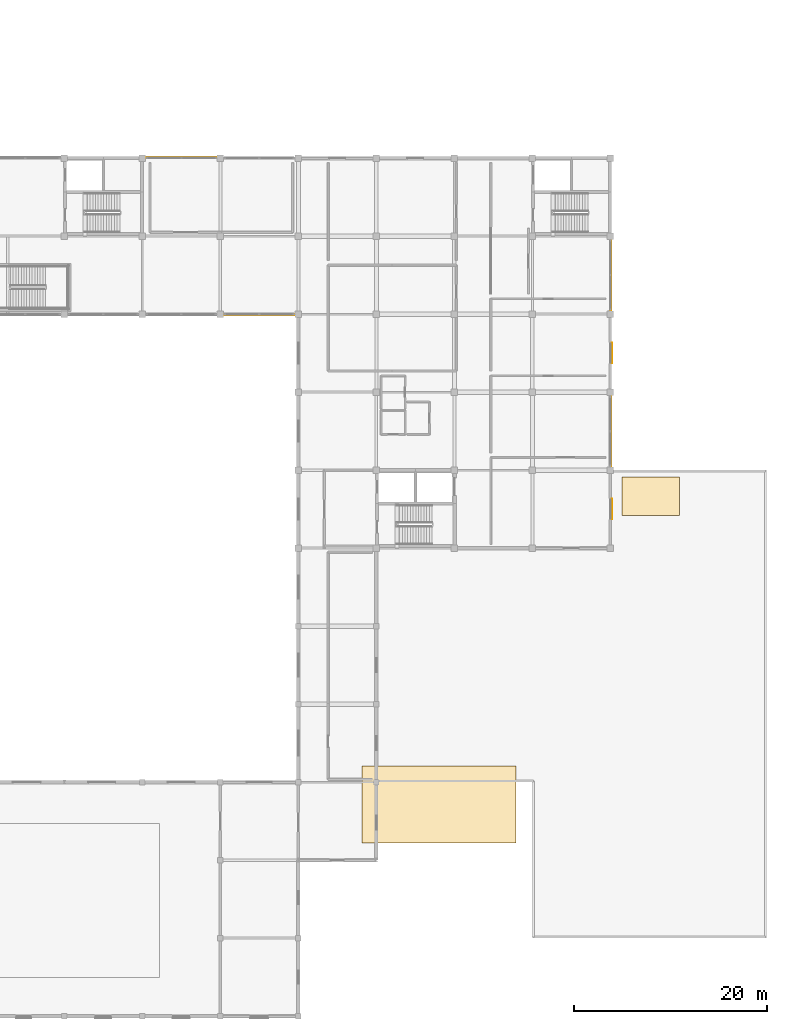
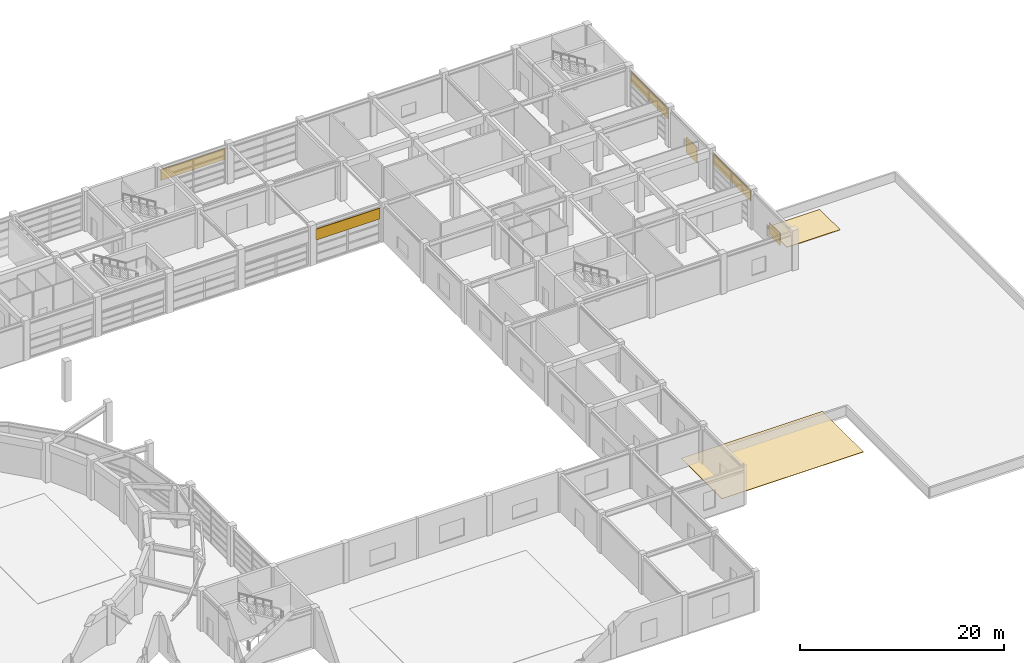
# One storey, part 55 of 56: 6 shading devices, 2 coverings.
"""IFC4 building model written with IfcOpenShell, lengths in metres."""

from ifc_helpers import new_model, si_unit, direction, frame, origin, origin_2d, place, context, subcontext, project, spatial, rectangle, extrude, material, layer, layer_set, type_object, element, save


model = new_model("IFC4")

# Units and contexts
model_context = context("Model", 3, precision=1e-05, world=origin(), true_north=direction((0.0, 1.0)))
body_context = subcontext(model_context, "Body", "Model", "MODEL_VIEW")
ifc_project = project(units=[si_unit("LENGTHUNIT", "METRE"), si_unit("AREAUNIT", "SQUARE_METRE"), si_unit("VOLUMEUNIT", "CUBIC_METRE"), si_unit("PLANEANGLEUNIT", "RADIAN"), si_unit("MASSUNIT", "GRAM", prefix="KILO")], contexts=[model_context])

# Site, building, storey
site_placement = place(None, origin())
site = spatial("IfcSite", under=ifc_project, at=site_placement, CompositionType="ELEMENT")
building_placement = place(site_placement, origin())
building = spatial("IfcBuilding", under=site, at=building_placement, Name="Parian Resonance Hall", CompositionType="ELEMENT")
storey_placement = place(building_placement, frame((0.0, 0.0, 5.39990234375)))
storey = spatial("IfcBuildingStorey", under=building, at=storey_placement, Name="L01", CompositionType="ELEMENT", Elevation=5.39990234375)

# Coverings
ifc_material_1 = material(Name="Rain-damped acoustic standing-seam roofing")
ifc_layer_1 = layer(ifc_material_1, 0.050048828125)
ifc_layer_set_1 = layer_set([ifc_layer_1], Name="Rain-damped acoustic standing-seam roofing")
covering_type = type_object("IfcCoveringType", Name="COV-ROOF-ACOUSTIC", PredefinedType="ROOFING", material=ifc_layer_set_1)
covering_1_placement = place(storey_placement, frame((128.0, 22.0, 0.0), z_axis=(0.0, 0.0, 1.0), x_axis=(1.0, 0.0, 0.0)))
element("IfcCovering", 1, at=covering_1_placement, inside=storey, type_object=covering_type, Name="Rain-damped acoustic roof membrane L01-07", PredefinedType="ROOFING", context=body_context, shape_type="SweptSolid", body=[
    extrude(rectangle(XDim=16.0, YDim=8.0, at=origin_2d()), origin(), (0.0, 0.0, 1.0), 0.050048828125),
])
covering_2_placement = place(storey_placement, frame((150.0, 54.0, 0.0), z_axis=(0.0, 0.0, 1.0), x_axis=(1.0, 0.0, 0.0)))
element("IfcCovering", 2, at=covering_2_placement, inside=storey, type_object=covering_type, Name="Rain-damped acoustic roof membrane L01-08", PredefinedType="ROOFING", context=body_context, shape_type="SweptSolid", body=[
    extrude(rectangle(XDim=6.0, YDim=4.0, at=origin_2d()), origin(), (0.0, 0.0, 1.0), 0.050048828125),
])

# Shading devices
ifc_material_2 = material(Name="Patinated bronze persiana louver")
ifc_layer_2 = layer(ifc_material_2, 0.080078125)
ifc_layer_set_2 = layer_set([ifc_layer_2], Name="Patinated bronze persiana louver")
shading_device_type_1 = type_object("IfcShadingDeviceType", Name="SHD-PERSIANA-JAL", PredefinedType="JALOUSIE", material=ifc_layer_set_2)
for number, where, z_axis, x_axis, name in (
    (3, (101.25, 89.16748046875, 2.787109375), (0.0, 0.0, 1.0), (1.0, 0.0, 0.0), "Bronze persiana storm jalousie L01-046"),
    (4, (109.35009765625, 72.827392578125, 2.73486328125), (0.0, 0.0, 1.0), (-1.0, 0.0, 0.0), "Bronze persiana storm jalousie L01-057"),
    (5, (145.87255859375, 60.75, 2.81689453125), (0.0, 0.0, 1.0), (0.0, -1.0, 0.0), "Bronze persiana storm jalousie L01-059"),
    (6, (145.867431640625, 76.949951171875, 2.81689453125), (0.0, 0.0, 1.0), (0.0, -1.0, 0.0), "Bronze persiana storm jalousie L01-061"),
):
    element("IfcShadingDevice", number, at=place(storey_placement, frame(where, z_axis=z_axis, x_axis=x_axis)), inside=storey, type_object=shading_device_type_1, Name=name, PredefinedType="JALOUSIE", context=body_context, shape_type="SweptSolid", body=[
        extrude(rectangle(XDim=7.239990234375, YDim=0.080078125, at=origin_2d()), origin(), (0.0, 0.0, 1.0), 1.300048828125),
    ])
ifc_material_3 = material(Name="Patinated bronze persiana louver")
ifc_layer_3 = layer(ifc_material_3, 0.06005859375)
ifc_layer_set_3 = layer_set([ifc_layer_3], Name="Patinated bronze persiana louver")
shading_device_type_2 = type_object("IfcShadingDeviceType", Name="SHD-PERSIANA-SHT", PredefinedType="SHUTTER", material=ifc_layer_set_3)
shading_device_1_placement = place(storey_placement, frame((145.962890625, 52.64990234375, 0.860107421875), z_axis=(0.0, 0.0, 1.0), x_axis=(0.0, -1.0, 0.0)))
element("IfcShadingDevice", 7, at=shading_device_1_placement, inside=storey, type_object=shading_device_type_2, Name="Bronze operable persiana shutter L01-058", PredefinedType="SHUTTER", context=body_context, shape_type="SweptSolid", body=[
    extrude(rectangle(XDim=2.1201171875, YDim=0.06005859375, at=origin_2d()), origin(), (0.0, 0.0, 1.0), 1.47998046875),
])
shading_device_2_placement = place(storey_placement, frame((145.962890625, 68.85009765625, 0.860107421875), z_axis=(0.0, 0.0, 1.0), x_axis=(0.0, -1.0, 0.0)))
element("IfcShadingDevice", 8, at=shading_device_2_placement, inside=storey, type_object=shading_device_type_2, Name="Bronze operable persiana shutter L01-060", PredefinedType="SHUTTER", context=body_context, shape_type="SweptSolid", body=[
    extrude(rectangle(XDim=2.1201171875, YDim=0.06005859375, at=origin_2d()), origin(), (0.0, 0.0, 1.0), 1.8798828125),
])

save(model, "model.ifc")
